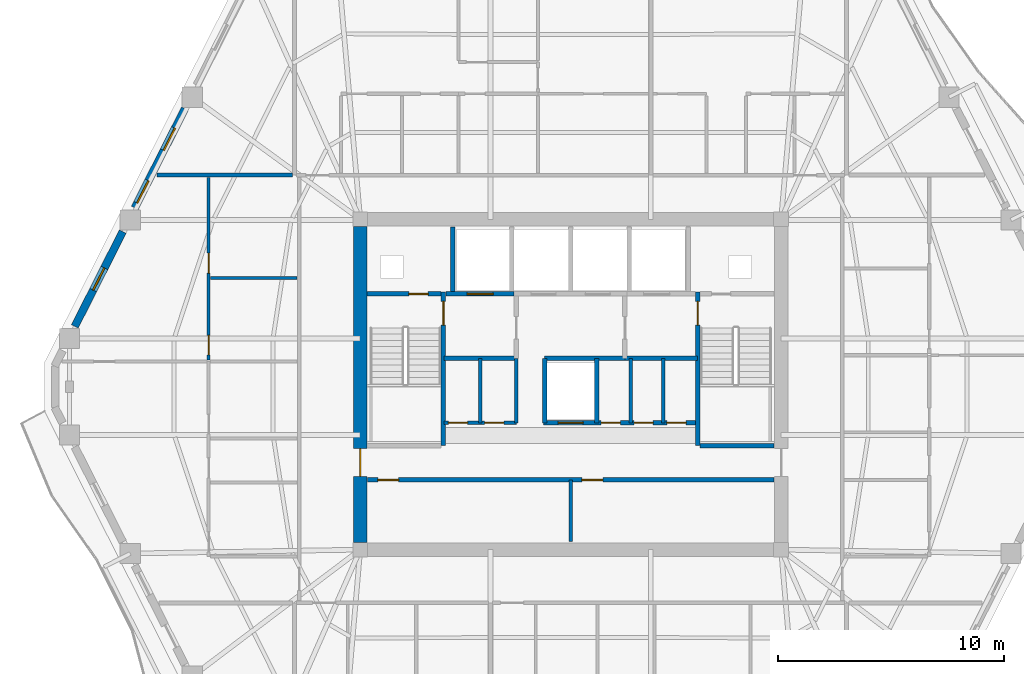
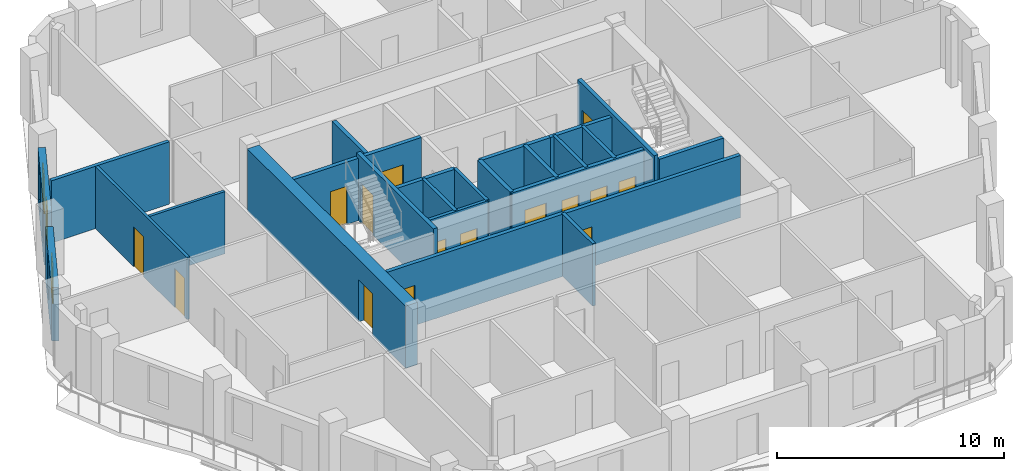
# One storey, part 5 of 11: 25 walls, 15 doors, 3 windows, 18 openings.
"""IFC4 building model written with IfcOpenShell, lengths in metres."""

from ifc_helpers import new_model, si_unit, direction, frame, frame_2d, origin, place, context, subcontext, project, spatial, rectangle, extrude, material, layer, layer_set, type_object, element, fill, save


model = new_model("IFC4")

# Units and contexts
model_context = context("Model", 3, precision=1e-05, world=origin(), true_north=direction((0.0, 1.0)))
body_context = subcontext(model_context, "Body", "Model", "MODEL_VIEW")
ifc_project = project(units=[si_unit("LENGTHUNIT", "METRE"), si_unit("AREAUNIT", "SQUARE_METRE"), si_unit("VOLUMEUNIT", "CUBIC_METRE"), si_unit("PLANEANGLEUNIT", "RADIAN"), si_unit("MASSUNIT", "GRAM", prefix="KILO")], contexts=[model_context])

# Site, building, storey
site_placement = place(None, origin())
site = spatial("IfcSite", under=ifc_project, at=site_placement, CompositionType="ELEMENT")
building_placement = place(site_placement, origin())
building = spatial("IfcBuilding", under=site, at=building_placement, Name="Cinnabar Lancet Tower", CompositionType="ELEMENT")
storey_placement = place(building_placement, frame((0.0, 0.0, 175.449951171875)))
storey = spatial("IfcBuildingStorey", under=building, at=storey_placement, Name="L46", CompositionType="ELEMENT", Elevation=175.449951171875)

# Wall, openings, doors
ifc_material_1 = material(Name="Acoustic twin-stud gypsum partition", Category="gypsum")
ifc_layer_1 = layer(ifc_material_1, 0.159912109375)
ifc_layer_set_1 = layer_set([ifc_layer_1], Name="Acoustic twin-stud gypsum partition")
wall_type_1 = type_object("IfcWallType", Name="ARC-WL-CORR-160", PredefinedType="PARTITIONING", material=ifc_layer_set_1)
wall_1_placement = place(storey_placement, frame((26.800048828125, 24.199951171875, 0.0), z_axis=(0.0, 0.0, 1.0), x_axis=(1.0, 0.0, 0.0)))
wall_1 = element("IfcWall", 1, at=wall_1_placement, inside=storey, type_object=wall_type_1, Name="CW-REC5S-L46", PredefinedType="PARTITIONING", context=body_context, shape_type="SweptSolid", body=[
    extrude(rectangle(XDim=3.199951171875, YDim=0.159912109375, at=frame_2d((1.60009765625, 0.0))), origin(), (0.0, 0.0, 1.0), 3.35009765625),
])
opening_1_placement = place(wall_1_placement, frame((0.199951171875, 0.0, 0.0)))
opening_1 = element("IfcOpeningElement", 2, at=opening_1_placement, cuts=wall_1, Name="Opening PD-02", PredefinedType="OPENING", context=body_context, shape_type="SweptSolid", body=[
    extrude(rectangle(XDim=0.85009765625, YDim=2.050048828125, at=frame_2d((0.425048828125, 1.02490234375))), frame((0.0, 0.08984375, 0.0), z_axis=(0.0, -1.0, 0.0), x_axis=(1.0, 0.0, 0.0)), (0.0, 0.0, 1.0), 0.179931640625),
])
opening_2_placement = place(wall_1_placement, frame((1.800048828125, 0.0, 0.0)))
opening_2 = element("IfcOpeningElement", 3, at=opening_2_placement, cuts=wall_1, Name="Opening PD-02", PredefinedType="OPENING", context=body_context, shape_type="SweptSolid", body=[
    extrude(rectangle(XDim=0.85009765625, YDim=2.050048828125, at=frame_2d((0.425048828125, 1.02490234375))), frame((0.0, 0.08984375, 0.0), z_axis=(0.0, -1.0, 0.0), x_axis=(1.0, 0.0, 0.0)), (0.0, 0.0, 1.0), 0.179931640625),
])
ifc_material_2 = material(Name="Fire-rated steel riser access door", Category="steel")
door_type_1 = type_object("IfcDoorType", Name="ARC-DR-RISER", OperationType="NOTDEFINED", PredefinedType="DOOR", material=ifc_material_2)
door_1_placement = place(opening_1_placement, origin())
door_1 = element("IfcDoor", 4, at=door_1_placement, inside=storey, type_object=door_type_1, Name="DR-L46-REC5A", OperationType="SINGLE_SWING_LEFT", OverallHeight=2.050048828125, OverallWidth=0.85009765625, PredefinedType="DOOR", context=body_context, shape_type="SweptSolid", body=[
    extrude(rectangle(XDim=0.85009765625, YDim=2.050048828125, at=frame_2d((0.425048828125, 1.02490234375))), frame((0.0, 0.02490234375, 0.0), z_axis=(0.0, -1.0, 0.0), x_axis=(1.0, 0.0, 0.0)), (0.0, 0.0, 1.0), 0.050048828125),
])
fill(opening_1, door_1)
door_2_placement = place(opening_2_placement, origin())
door_2 = element("IfcDoor", 5, at=door_2_placement, inside=storey, type_object=door_type_1, Name="DR-L46-REC5B", OperationType="SINGLE_SWING_RIGHT", OverallHeight=2.050048828125, OverallWidth=0.85009765625, PredefinedType="DOOR", context=body_context, shape_type="SweptSolid", body=[
    extrude(rectangle(XDim=0.85009765625, YDim=2.050048828125, at=frame_2d((0.425048828125, 1.02490234375))), frame((0.0, 0.02490234375, 0.0), z_axis=(0.0, -1.0, 0.0), x_axis=(1.0, 0.0, 0.0)), (0.0, 0.0, 1.0), 0.050048828125),
])
fill(opening_2, door_2)

# Walls
for number, where, z_axis, x_axis, name in (
    (6, (30.0, 24.199951171875, 0.0), (0.0, 0.0, 1.0), (0.0, 1.0, 0.0), "CW-REC5E-L46"),
    (7, (28.39990234375, 24.199951171875, 0.0), (0.0, 0.0, 1.0), (0.0, 1.0, 0.0), "CW-REC5D0-L46"),
    (8, (35.050048828125, 24.199951171875, 0.0), (0.0, 0.0, 1.0), (0.0, 1.0, 0.0), "CW-REC6D1-L46"),
    (9, (36.5, 24.199951171875, 0.0), (0.0, 0.0, 1.0), (0.0, 1.0, 0.0), "CW-REC6D2-L46"),
):
    element("IfcWall", number, at=place(storey_placement, frame(where, z_axis=z_axis, x_axis=x_axis)), inside=storey, type_object=wall_type_1, Name=name, PredefinedType="PARTITIONING", context=body_context, shape_type="SweptSolid", body=[
        extrude(rectangle(XDim=2.85009765625, YDim=0.159912109375, at=frame_2d((1.425048828125, 0.0))), origin(), (0.0, 0.0, 1.0), 3.35009765625),
    ])
wall_2_placement = place(storey_placement, frame((32.39990234375, 18.949951171875, 0.0), z_axis=(0.0, 0.0, 1.0), x_axis=(0.0, 1.0, 0.0)))
element("IfcWall", 10, at=wall_2_placement, inside=storey, type_object=wall_type_1, Name="CW-SB-3240-L46", PredefinedType="PARTITIONING", context=body_context, shape_type="SweptSolid", body=[
    extrude(rectangle(XDim=2.72998046875, YDim=0.159912109375, at=frame_2d((1.364990234375, 0.0))), origin(), (0.0, 0.0, 1.0), 3.35009765625),
])
ifc_material_3 = material(Name="Fire-rated twin-frame acoustic drywall", Category="gypsum")
ifc_layer_2 = layer(ifc_material_3, 0.179931640625)
ifc_layer_set_2 = layer_set([ifc_layer_2], Name="Fire-rated twin-frame acoustic drywall")
wall_type_2 = type_object("IfcWallType", Name="ARC-WL-PARTY-180", PredefinedType="PARTITIONING", material=ifc_layer_set_2)
wall_3_placement = place(storey_placement, frame((14.110107421875, 35.14990234375, 0.0), z_axis=(0.0, 0.0, 1.0), x_axis=(1.0, 0.0, 0.0)))
element("IfcWall", 11, at=wall_3_placement, inside=storey, type_object=wall_type_2, Name="PW-L46-WNB", PredefinedType="PARTITIONING", context=body_context, shape_type="SweptSolid", body=[
    extrude(rectangle(XDim=5.994873046875, YDim=0.179931640625, at=frame_2d((2.99755859375, 0.0))), origin(), (0.0, 0.0, 1.0), 3.35009765625),
])
ifc_material_4 = material(Name="Autoclaved aerated concrete blockwork", Category="masonry")
ifc_layer_3 = layer(ifc_material_4, 0.199951171875)
ifc_layer_set_3 = layer_set([ifc_layer_3], Name="Autoclaved aerated concrete blockwork")
wall_type_3 = type_object("IfcWallType", Name="ARC-WL-SHAFT-200", PredefinedType="PLUMBINGWALL", material=ifc_layer_set_3)
wall_4_placement = place(storey_placement, frame((38.125, 23.199951171875, 0.0), z_axis=(0.0, 0.0, 1.0), x_axis=(1.0, 0.0, 0.0)))
element("IfcWall", 12, at=wall_4_placement, inside=storey, type_object=wall_type_3, Name="CW-ST2S-L46", PredefinedType="PLUMBINGWALL", context=body_context, shape_type="SweptSolid", body=[
    extrude(rectangle(XDim=3.27001953125, YDim=0.199951171875, at=frame_2d((1.635009765625, 0.0))), origin(), (0.0, 0.0, 1.0), 3.35009765625),
])

# Wall, opening, door
wall_5_placement = place(storey_placement, frame((23.405029296875, 29.89990234375, 0.0), z_axis=(0.0, 0.0, 1.0), x_axis=(1.0, 0.0, 0.0)))
wall_5 = element("IfcWall", 13, at=wall_5_placement, inside=storey, type_object=wall_type_3, Name="CW-NSH-W-L46", PredefinedType="PLUMBINGWALL", context=body_context, shape_type="SweptSolid", body=[
    extrude(rectangle(XDim=3.27001953125, YDim=0.199951171875, at=frame_2d((1.635009765625, 0.0))), origin(), (0.0, 0.0, 1.0), 3.35009765625),
])
opening_3_placement = place(wall_5_placement, frame((1.85009765625, 0.0, 0.0)))
opening_3 = element("IfcOpeningElement", 14, at=opening_3_placement, cuts=wall_5, Name="Opening PD-02", PredefinedType="OPENING", context=body_context, shape_type="SweptSolid", body=[
    extrude(rectangle(XDim=0.85009765625, YDim=2.050048828125, at=frame_2d((0.425048828125, 1.02490234375))), frame((0.0, 0.10986328125, 0.0), z_axis=(0.0, -1.0, 0.0), x_axis=(1.0, 0.0, 0.0)), (0.0, 0.0, 1.0), 0.219970703125),
])
door_3_placement = place(opening_3_placement, origin())
door_3 = element("IfcDoor", 15, at=door_3_placement, inside=storey, type_object=door_type_1, Name="L46 West Riser Access Door", OperationType="SINGLE_SWING_LEFT", OverallHeight=2.050048828125, OverallWidth=0.85009765625, PredefinedType="DOOR", context=body_context, shape_type="SweptSolid", body=[
    extrude(rectangle(XDim=0.85009765625, YDim=2.050048828125, at=frame_2d((0.425048828125, 1.02490234375))), frame((0.0, 0.02490234375, 0.0), z_axis=(0.0, -1.0, 0.0), x_axis=(1.0, 0.0, 0.0)), (0.0, 0.0, 1.0), 0.050048828125),
])
fill(opening_3, door_3)

wall_6_placement = place(storey_placement, frame((26.885009765625, 29.89990234375, 0.0), z_axis=(0.0, 0.0, 1.0), x_axis=(1.0, 0.0, 0.0)))
wall_6 = element("IfcWall", 16, at=wall_6_placement, inside=storey, type_object=wall_type_3, Name="CW-FL1-L46", PredefinedType="PLUMBINGWALL", context=body_context, shape_type="SweptSolid", body=[
    extrude(rectangle(XDim=3.014892578125, YDim=0.199951171875, at=frame_2d((1.50732421875, 0.0))), origin(), (0.0, 0.0, 1.0), 3.35009765625),
])
opening_4_placement = place(wall_6_placement, frame((0.93994140625, 0.0, 0.0)))
opening_4 = element("IfcOpeningElement", 17, at=opening_4_placement, cuts=wall_6, Name="Opening LD-02", PredefinedType="OPENING", context=body_context, shape_type="SweptSolid", body=[
    extrude(rectangle(XDim=1.14990234375, YDim=2.199951171875, at=frame_2d((0.574951171875, 1.10009765625))), frame((0.0, 0.10986328125, 0.0), z_axis=(0.0, -1.0, 0.0), x_axis=(1.0, 0.0, 0.0)), (0.0, 0.0, 1.0), 0.219970703125),
])
ifc_material_5 = material(Name="Fire-rated stainless steel firefighting lift landing door", Category="steel")
door_type_2 = type_object("IfcDoorType", Name="ARC-DR-LD-FIRE", OperationType="NOTDEFINED", PredefinedType="DOOR", material=ifc_material_5)
door_4_placement = place(opening_4_placement, origin())
door_4 = element("IfcDoor", 18, at=door_4_placement, inside=storey, type_object=door_type_2, Name="L46 Firefighting Lift FL-1 Landing Door", OperationType="DOUBLE_DOOR_SLIDING", OverallHeight=2.199951171875, OverallWidth=1.14990234375, PredefinedType="DOOR", context=body_context, shape_type="SweptSolid", body=[
    extrude(rectangle(XDim=1.14990234375, YDim=2.199951171875, at=frame_2d((0.574951171875, 1.10009765625))), frame((0.0, 0.02490234375, 0.0), z_axis=(0.0, -1.0, 0.0), x_axis=(1.0, 0.0, 0.0)), (0.0, 0.0, 1.0), 0.050048828125),
])
fill(opening_4, door_4)

# Walls
wall_7_placement = place(storey_placement, frame((27.199951171875, 30.0, 0.0), z_axis=(0.0, 0.0, 1.0), x_axis=(0.0, 1.0, 0.0)))
element("IfcWall", 19, at=wall_7_placement, inside=storey, type_object=wall_type_3, Name="CW-NSH-D1-L46", PredefinedType="PLUMBINGWALL", context=body_context, shape_type="SweptSolid", body=[
    extrude(rectangle(XDim=2.85009765625, YDim=0.199951171875, at=frame_2d((1.425048828125, 0.0))), origin(), (0.0, 0.0, 1.0), 3.35009765625),
])
for number, where, z_axis, x_axis, name in (
    (20, (26.800048828125, 27.050048828125, 0.0), (0.0, 0.0, 1.0), (1.0, 0.0, 0.0), "CW-FF1S-L46"),
    (21, (34.800048828125, 27.050048828125, 0.0), (0.0, 0.0, 1.0), (1.0, 0.0, 0.0), "CW-FF2S-L46"),
):
    element("IfcWall", number, at=place(storey_placement, frame(where, z_axis=z_axis, x_axis=x_axis)), inside=storey, type_object=wall_type_3, Name=name, PredefinedType="PLUMBINGWALL", context=body_context, shape_type="SweptSolid", body=[
        extrude(rectangle(XDim=3.199951171875, YDim=0.199951171875, at=frame_2d((1.60009765625, 0.0))), origin(), (0.0, 0.0, 1.0), 3.35009765625),
    ])

# Wall, openings, doors
wall_8_placement = place(storey_placement, frame((31.199951171875, 24.199951171875, 0.0), z_axis=(0.0, 0.0, 1.0), x_axis=(1.0, 0.0, 0.0)))
wall_8 = element("IfcWall", 22, at=wall_8_placement, inside=storey, type_object=wall_type_3, Name="CW-PL96S-L46", PredefinedType="PLUMBINGWALL", context=body_context, shape_type="SweptSolid", body=[
    extrude(rectangle(XDim=6.800048828125, YDim=0.199951171875, at=frame_2d((3.39990234375, 0.0))), origin(), (0.0, 0.0, 1.0), 3.35009765625),
])
opening_5_placement = place(wall_8_placement, frame((0.64990234375, 0.0, 0.0)))
opening_5 = element("IfcOpeningElement", 23, at=opening_5_placement, cuts=wall_8, Name="Opening LD-01", PredefinedType="OPENING", context=body_context, shape_type="SweptSolid", body=[
    extrude(rectangle(XDim=1.10009765625, YDim=2.199951171875, at=frame_2d((0.550048828125, 1.10009765625))), frame((0.0, 0.10986328125, 0.0), z_axis=(0.0, -1.0, 0.0), x_axis=(1.0, 0.0, 0.0)), (0.0, 0.0, 1.0), 0.219970703125),
])
opening_6_placement = place(wall_8_placement, frame((2.550048828125, 0.0, 0.0)))
opening_6 = element("IfcOpeningElement", 24, at=opening_6_placement, cuts=wall_8, Name="Opening PD-02", PredefinedType="OPENING", context=body_context, shape_type="SweptSolid", body=[
    extrude(rectangle(XDim=0.85009765625, YDim=2.050048828125, at=frame_2d((0.425048828125, 1.02490234375))), frame((0.0, 0.10986328125, 0.0), z_axis=(0.0, -1.0, 0.0), x_axis=(1.0, 0.0, 0.0)), (0.0, 0.0, 1.0), 0.219970703125),
])
opening_7_placement = place(wall_8_placement, frame((4.0, 0.0, 0.0)))
opening_7 = element("IfcOpeningElement", 25, at=opening_7_placement, cuts=wall_8, Name="Opening PD-02", PredefinedType="OPENING", context=body_context, shape_type="SweptSolid", body=[
    extrude(rectangle(XDim=0.85009765625, YDim=2.050048828125, at=frame_2d((0.425048828125, 1.02490234375))), frame((0.0, 0.10986328125, 0.0), z_axis=(0.0, -1.0, 0.0), x_axis=(1.0, 0.0, 0.0)), (0.0, 0.0, 1.0), 0.219970703125),
])
opening_8_placement = place(wall_8_placement, frame((5.449951171875, 0.0, 0.0)))
opening_8 = element("IfcOpeningElement", 26, at=opening_8_placement, cuts=wall_8, Name="Opening PD-02", PredefinedType="OPENING", context=body_context, shape_type="SweptSolid", body=[
    extrude(rectangle(XDim=0.85009765625, YDim=2.050048828125, at=frame_2d((0.425048828125, 1.02490234375))), frame((0.0, 0.10986328125, 0.0), z_axis=(0.0, -1.0, 0.0), x_axis=(1.0, 0.0, 0.0)), (0.0, 0.0, 1.0), 0.219970703125),
])
ifc_material_6 = material(Name="Brushed stainless steel sliding lift door", Category="steel")
door_type_3 = type_object("IfcDoorType", Name="ARC-DR-LD-PASS", OperationType="NOTDEFINED", PredefinedType="DOOR", material=ifc_material_6)
door_5_placement = place(opening_5_placement, origin())
door_5 = element("IfcDoor", 27, at=door_5_placement, inside=storey, type_object=door_type_3, Name="L46 Lift PL-9 Landing Door", OperationType="DOUBLE_DOOR_SLIDING", OverallHeight=2.199951171875, OverallWidth=1.10009765625, PredefinedType="DOOR", context=body_context, shape_type="SweptSolid", body=[
    extrude(rectangle(XDim=1.10009765625, YDim=2.199951171875, at=frame_2d((0.550048828125, 1.10009765625))), frame((0.0, 0.02490234375, 0.0), z_axis=(0.0, -1.0, 0.0), x_axis=(1.0, 0.0, 0.0)), (0.0, 0.0, 1.0), 0.050048828125),
])
fill(opening_5, door_5)
door_6_placement = place(opening_6_placement, origin())
door_6 = element("IfcDoor", 28, at=door_6_placement, inside=storey, type_object=door_type_1, Name="DR-L46-REC6A", OperationType="SINGLE_SWING_LEFT", OverallHeight=2.050048828125, OverallWidth=0.85009765625, PredefinedType="DOOR", context=body_context, shape_type="SweptSolid", body=[
    extrude(rectangle(XDim=0.85009765625, YDim=2.050048828125, at=frame_2d((0.425048828125, 1.02490234375))), frame((0.0, 0.02490234375, 0.0), z_axis=(0.0, -1.0, 0.0), x_axis=(1.0, 0.0, 0.0)), (0.0, 0.0, 1.0), 0.050048828125),
])
fill(opening_6, door_6)
door_7_placement = place(opening_7_placement, origin())
door_7 = element("IfcDoor", 29, at=door_7_placement, inside=storey, type_object=door_type_1, Name="DR-L46-REC6B", OperationType="SINGLE_SWING_RIGHT", OverallHeight=2.050048828125, OverallWidth=0.85009765625, PredefinedType="DOOR", context=body_context, shape_type="SweptSolid", body=[
    extrude(rectangle(XDim=0.85009765625, YDim=2.050048828125, at=frame_2d((0.425048828125, 1.02490234375))), frame((0.0, 0.02490234375, 0.0), z_axis=(0.0, -1.0, 0.0), x_axis=(1.0, 0.0, 0.0)), (0.0, 0.0, 1.0), 0.050048828125),
])
fill(opening_7, door_7)
door_8_placement = place(opening_8_placement, origin())
door_8 = element("IfcDoor", 30, at=door_8_placement, inside=storey, type_object=door_type_1, Name="DR-L46-REC6C", OperationType="SINGLE_SWING_LEFT", OverallHeight=2.050048828125, OverallWidth=0.85009765625, PredefinedType="DOOR", context=body_context, shape_type="SweptSolid", body=[
    extrude(rectangle(XDim=0.85009765625, YDim=2.050048828125, at=frame_2d((0.425048828125, 1.02490234375))), frame((0.0, 0.02490234375, 0.0), z_axis=(0.0, -1.0, 0.0), x_axis=(1.0, 0.0, 0.0)), (0.0, 0.0, 1.0), 0.050048828125),
])
fill(opening_8, door_8)

# Walls
for number, where, z_axis, x_axis, name in (
    (31, (31.25, 24.199951171875, 0.0), (0.0, 0.0, 1.0), (0.0, 1.0, 0.0), "CW-PL9W-L46"),
    (32, (33.550048828125, 24.199951171875, 0.0), (0.0, 0.0, 1.0), (0.0, 1.0, 0.0), "CW-PL9E-L46"),
):
    element("IfcWall", number, at=place(storey_placement, frame(where, z_axis=z_axis, x_axis=x_axis)), inside=storey, type_object=wall_type_3, Name=name, PredefinedType="PLUMBINGWALL", context=body_context, shape_type="SweptSolid", body=[
        extrude(rectangle(XDim=2.85009765625, YDim=0.199951171875, at=frame_2d((1.425048828125, 0.0))), origin(), (0.0, 0.0, 1.0), 3.35009765625),
    ])
wall_9_placement = place(storey_placement, frame((31.25, 27.050048828125, 0.0), z_axis=(0.0, 0.0, 1.0), x_axis=(1.0, 0.0, 0.0)))
element("IfcWall", 33, at=wall_9_placement, inside=storey, type_object=wall_type_3, Name="CW-PL96N-L46", PredefinedType="PLUMBINGWALL", context=body_context, shape_type="SweptSolid", body=[
    extrude(rectangle(XDim=3.550048828125, YDim=0.199951171875, at=frame_2d((1.77490234375, 0.0))), origin(), (0.0, 0.0, 1.0), 3.35009765625),
])

# Wall, openings, doors
wall_10_placement = place(storey_placement, frame((23.419921875, 21.679931640625, 0.0), z_axis=(0.0, 0.0, 1.0), x_axis=(1.0, 0.0, 0.0)))
wall_10 = element("IfcWall", 34, at=wall_10_placement, inside=storey, type_object=wall_type_3, Name="CW-SBANDN-L46", PredefinedType="PLUMBINGWALL", context=body_context, shape_type="SweptSolid", body=[
    extrude(rectangle(XDim=17.9599609375, YDim=0.199951171875, at=frame_2d((8.97998046875, 0.0))), origin(), (0.0, 0.0, 1.0), 3.35009765625),
])
opening_9_placement = place(wall_10_placement, frame((0.4599609375, 0.0, 0.0)))
opening_9 = element("IfcOpeningElement", 35, at=opening_9_placement, cuts=wall_10, Name="Opening RD-01", PredefinedType="OPENING", context=body_context, shape_type="SweptSolid", body=[
    extrude(rectangle(XDim=0.919921875, YDim=2.14990234375, at=frame_2d((0.4599609375, 1.074951171875))), frame((0.0, 0.10986328125, 0.0), z_axis=(0.0, -1.0, 0.0), x_axis=(1.0, 0.0, 0.0)), (0.0, 0.0, 1.0), 0.219970703125),
])
opening_10_placement = place(wall_10_placement, frame((9.47998046875, 0.0, 0.0)))
opening_10 = element("IfcOpeningElement", 36, at=opening_10_placement, cuts=wall_10, Name="Opening RD-01", PredefinedType="OPENING", context=body_context, shape_type="SweptSolid", body=[
    extrude(rectangle(XDim=0.919921875, YDim=2.14990234375, at=frame_2d((0.4599609375, 1.074951171875))), frame((0.0, 0.10986328125, 0.0), z_axis=(0.0, -1.0, 0.0), x_axis=(1.0, 0.0, 0.0)), (0.0, 0.0, 1.0), 0.219970703125),
])
ifc_material_7 = material(Name="Engineered timber bedroom door", Category="wood")
door_type_4 = type_object("IfcDoorType", Name="ARC-DR-ROOM", OperationType="NOTDEFINED", PredefinedType="DOOR", material=ifc_material_7)
door_9_placement = place(opening_9_placement, origin())
door_9 = element("IfcDoor", 37, at=door_9_placement, inside=storey, type_object=door_type_4, Name="DR-L46-HREC1", OperationType="SINGLE_SWING_LEFT", OverallHeight=2.14990234375, OverallWidth=0.919921875, PredefinedType="DOOR", context=body_context, shape_type="SweptSolid", body=[
    extrude(rectangle(XDim=0.919921875, YDim=2.14990234375, at=frame_2d((0.4599609375, 1.074951171875))), frame((0.0, 0.02490234375, 0.0), z_axis=(0.0, -1.0, 0.0), x_axis=(1.0, 0.0, 0.0)), (0.0, 0.0, 1.0), 0.050048828125),
])
fill(opening_9, door_9)
door_10_placement = place(opening_10_placement, origin())
door_10 = element("IfcDoor", 38, at=door_10_placement, inside=storey, type_object=door_type_4, Name="DR-L46-HREC2", OperationType="SINGLE_SWING_RIGHT", OverallHeight=2.14990234375, OverallWidth=0.919921875, PredefinedType="DOOR", context=body_context, shape_type="SweptSolid", body=[
    extrude(rectangle(XDim=0.919921875, YDim=2.14990234375, at=frame_2d((0.4599609375, 1.074951171875))), frame((0.0, 0.02490234375, 0.0), z_axis=(0.0, -1.0, 0.0), x_axis=(1.0, 0.0, 0.0)), (0.0, 0.0, 1.0), 0.050048828125),
])
fill(opening_10, door_10)

ifc_material_8 = material(Name="Moisture-resistant cement-board plumbing wall", Category="masonry")
ifc_layer_4 = layer(ifc_material_8, 0.139892578125)
ifc_layer_set_4 = layer_set([ifc_layer_4], Name="Moisture-resistant cement-board plumbing wall")
wall_type_4 = type_object("IfcWallType", Name="ARC-WL-WET-140", PredefinedType="PLUMBINGWALL", material=ifc_layer_set_4)
wall_11_placement = place(storey_placement, frame((16.39990234375, 26.987060546875, 0.0), z_axis=(0.0, 0.0, 1.0), x_axis=(0.0, 1.0, 0.0)))
wall_11 = element("IfcWall", 39, at=wall_11_placement, inside=storey, type_object=wall_type_4, Name="UW-L46-W01-SPM", PredefinedType="PLUMBINGWALL", context=body_context, shape_type="SweptSolid", body=[
    extrude(rectangle(XDim=8.06787109375, YDim=0.139892578125, at=frame_2d((4.033935546875, 0.0))), origin(), (0.0, 0.0, 1.0), 3.35009765625),
])
opening_11_placement = place(wall_11_placement, frame((0.219970703125, 0.0, 0.0)))
opening_11 = element("IfcOpeningElement", 40, at=opening_11_placement, cuts=wall_11, Name="Opening BD-01", PredefinedType="OPENING", context=body_context, shape_type="SweptSolid", body=[
    extrude(rectangle(XDim=0.860107421875, YDim=2.10009765625, at=frame_2d((0.43017578125, 1.050048828125))), frame((0.0, 0.079833984375, 0.0), z_axis=(0.0, -1.0, 0.0), x_axis=(1.0, 0.0, 0.0)), (0.0, 0.0, 1.0), 0.159912109375),
])
opening_12_placement = place(wall_11_placement, frame((3.8330078125, 0.0, 0.0)))
opening_12 = element("IfcOpeningElement", 41, at=opening_12_placement, cuts=wall_11, Name="Opening RD-02", PredefinedType="OPENING", context=body_context, shape_type="SweptSolid", body=[
    extrude(rectangle(XDim=0.8798828125, YDim=2.14990234375, at=frame_2d((0.43994140625, 1.074951171875))), frame((0.0, 0.079833984375, 0.0), z_axis=(0.0, -1.0, 0.0), x_axis=(1.0, 0.0, 0.0)), (0.0, 0.0, 1.0), 0.159912109375),
])
ifc_material_9 = material(Name="Moisture-resistant timber bathroom door", Category="wood")
door_type_5 = type_object("IfcDoorType", Name="ARC-DR-BATH", OperationType="NOTDEFINED", PredefinedType="DOOR", material=ifc_material_9)
door_11_placement = place(opening_11_placement, origin())
door_11 = element("IfcDoor", 42, at=door_11_placement, inside=storey, type_object=door_type_5, Name="DR-L46-W01-ENS", OperationType="SINGLE_SWING_RIGHT", OverallHeight=2.10009765625, OverallWidth=0.860107421875, PredefinedType="DOOR", context=body_context, shape_type="SweptSolid", body=[
    extrude(rectangle(XDim=0.860107421875, YDim=2.10009765625, at=frame_2d((0.43017578125, 1.050048828125))), frame((0.0, 0.02490234375, 0.0), z_axis=(0.0, -1.0, 0.0), x_axis=(1.0, 0.0, 0.0)), (0.0, 0.0, 1.0), 0.050048828125),
])
fill(opening_11, door_11)
ifc_material_10 = material(Name="Engineered timber study door", Category="wood")
door_type_6 = type_object("IfcDoorType", Name="ARC-DR-STUDY", OperationType="NOTDEFINED", PredefinedType="DOOR", material=ifc_material_10)
door_12_placement = place(opening_12_placement, origin())
door_12 = element("IfcDoor", 43, at=door_12_placement, inside=storey, type_object=door_type_6, Name="DR-L46-W01-EWDR", OperationType="SINGLE_SWING_LEFT", OverallHeight=2.14990234375, OverallWidth=0.8798828125, PredefinedType="DOOR", context=body_context, shape_type="SweptSolid", body=[
    extrude(rectangle(XDim=0.8798828125, YDim=2.14990234375, at=frame_2d((0.43994140625, 1.074951171875))), frame((0.0, 0.02490234375, 0.0), z_axis=(0.0, -1.0, 0.0), x_axis=(1.0, 0.0, 0.0)), (0.0, 0.0, 1.0), 0.050048828125),
])
fill(opening_12, door_12)

# Wall
wall_12_placement = place(storey_placement, frame((16.485107421875, 30.60009765625, 0.0), z_axis=(0.0, 0.0, 1.0), x_axis=(1.0, 0.0, 0.0)))
element("IfcWall", 44, at=wall_12_placement, inside=storey, type_object=wall_type_4, Name="UW-L46-W01-EWDV", PredefinedType="PLUMBINGWALL", context=body_context, shape_type="SweptSolid", body=[
    extrude(rectangle(XDim=3.829833984375, YDim=0.139892578125, at=frame_2d((1.9150390625, 0.0))), origin(), (0.0, 0.0, 1.0), 3.35009765625),
])

# Wall, openings, windows
ifc_material_11 = material(Name="Cinnabar red clay brick", Category="masonry")
ifc_layer_5 = layer(ifc_material_11, 0.340087890625)
ifc_layer_set_5 = layer_set([ifc_layer_5], Name="Cinnabar red clay brick")
wall_type_5 = type_object("IfcWallType", Name="ENV-WL-BRK-RED-340", PredefinedType="STANDARD", material=ifc_layer_set_5)
wall_13_placement = place(storey_placement, frame((15.35205078125, 38.0830078125, 0.0), z_axis=(0.0, 0.0, 1.0), x_axis=(-0.451524246964, -0.89225884944, 0.0)))
wall_13 = element("IfcWall", 45, at=wall_13_placement, inside=storey, type_object=wall_type_5, Name="L46 Face 5 Masonry Bay Wall 3", PredefinedType="STANDARD", context=body_context, shape_type="SweptSolid", body=[
    extrude(rectangle(XDim=4.91015625, YDim=0.340087890625, at=frame_2d((2.455078125, 0.0))), origin(), (0.0, 0.0, 1.0), 2.883056640625),
])
opening_13_placement = place(wall_13_placement, frame((0.962890625, 0.0, 0.75)))
opening_13 = element("IfcOpeningElement", 46, at=opening_13_placement, cuts=wall_13, Name="Opening WN-04", PredefinedType="OPENING", context=body_context, shape_type="SweptSolid", body=[
    extrude(rectangle(XDim=1.10009765625, YDim=1.98291015625, at=frame_2d((0.550048828125, 0.991455078125))), frame((0.0, 0.179931640625, 0.0), z_axis=(0.0, -1.0, 0.0), x_axis=(1.0, 0.0, 0.0)), (0.0, 0.0, 1.0), 0.360107421875),
])
opening_14_placement = place(wall_13_placement, frame((3.569091796875, 0.0, 0.75)))
opening_14 = element("IfcOpeningElement", 47, at=opening_14_placement, cuts=wall_13, Name="Opening WN-04", PredefinedType="OPENING", context=body_context, shape_type="SweptSolid", body=[
    extrude(rectangle(XDim=1.10009765625, YDim=1.98291015625, at=frame_2d((0.550048828125, 0.991455078125))), frame((0.0, 0.179931640625, 0.0), z_axis=(0.0, -1.0, 0.0), x_axis=(1.0, 0.0, 0.0)), (0.0, 0.0, 1.0), 0.360107421875),
])
ifc_material_12 = material(Name="Thermally broken bronze-anodized aluminium tall lancet window", Category="aluminium")
window_type = type_object("IfcWindowType", Name="ENV-WN-LANCET-1100", PartitioningType="SINGLE_PANEL", PredefinedType="WINDOW", material=ifc_material_12)
window_1_placement = place(opening_13_placement, origin())
window_1 = element("IfcWindow", 48, at=window_1_placement, inside=storey, type_object=window_type, Name="L46 Face 5 Gothic Lancet Window 3", OverallHeight=1.98291015625, OverallWidth=1.10009765625, PartitioningType="SINGLE_PANEL", PredefinedType="WINDOW", context=body_context, shape_type="SweptSolid", body=[
    extrude(rectangle(XDim=1.10009765625, YDim=1.98291015625, at=frame_2d((0.550048828125, 0.991455078125))), frame((0.0, 0.030029296875, 0.0), z_axis=(0.0, -1.0, 0.0), x_axis=(1.0, 0.0, 0.0)), (0.0, 0.0, 1.0), 0.06005859375),
])
fill(opening_13, window_1)
window_2_placement = place(opening_14_placement, origin())
window_2 = element("IfcWindow", 49, at=window_2_placement, inside=storey, type_object=window_type, Name="L46 Split-Bay Gothic Lancet Window 139", OverallHeight=1.98291015625, OverallWidth=1.10009765625, PartitioningType="SINGLE_PANEL", PredefinedType="WINDOW", context=body_context, shape_type="SweptSolid", body=[
    extrude(rectangle(XDim=1.10009765625, YDim=1.98291015625, at=frame_2d((0.550048828125, 0.991455078125))), frame((0.0, 0.030029296875, 0.0), z_axis=(0.0, -1.0, 0.0), x_axis=(1.0, 0.0, 0.0)), (0.0, 0.0, 1.0), 0.06005859375),
])
fill(opening_14, window_2)

# Wall, opening, window
wall_14_placement = place(storey_placement, frame((12.60693359375, 32.656982421875, 0.0), z_axis=(0.0, 0.0, 1.0), x_axis=(-0.451426298588, -0.892308409096, 0.0)))
wall_14 = element("IfcWall", 50, at=wall_14_placement, inside=storey, type_object=wall_type_5, Name="L46 Face 5 Masonry Bay Wall 4", PredefinedType="STANDARD", context=body_context, shape_type="SweptSolid", body=[
    extrude(rectangle(XDim=4.7001953125, YDim=0.340087890625, at=frame_2d((2.35009765625, 0.0))), origin(), (0.0, 0.0, 1.0), 2.883056640625),
])
opening_15_placement = place(wall_14_placement, frame((1.800048828125, 0.0, 0.75)))
opening_15 = element("IfcOpeningElement", 51, at=opening_15_placement, cuts=wall_14, Name="Opening WN-04", PredefinedType="OPENING", context=body_context, shape_type="SweptSolid", body=[
    extrude(rectangle(XDim=1.10009765625, YDim=1.98291015625, at=frame_2d((0.550048828125, 0.991455078125))), frame((0.0, 0.179931640625, 0.0), z_axis=(0.0, -1.0, 0.0), x_axis=(1.0, 0.0, 0.0)), (0.0, 0.0, 1.0), 0.360107421875),
])
window_3_placement = place(opening_15_placement, origin())
window_3 = element("IfcWindow", 52, at=window_3_placement, inside=storey, type_object=window_type, Name="L46 Face 5 Gothic Lancet Window 4", OverallHeight=1.98291015625, OverallWidth=1.10009765625, PartitioningType="SINGLE_PANEL", PredefinedType="WINDOW", context=body_context, shape_type="SweptSolid", body=[
    extrude(rectangle(XDim=1.10009765625, YDim=1.98291015625, at=frame_2d((0.550048828125, 0.991455078125))), frame((0.0, 0.030029296875, 0.0), z_axis=(0.0, -1.0, 0.0), x_axis=(1.0, 0.0, 0.0)), (0.0, 0.0, 1.0), 0.06005859375),
])
fill(opening_15, window_3)

# Wall, opening, door
ifc_material_13 = material(Name="Concrete C60/75", Category="concrete")
ifc_layer_6 = layer(ifc_material_13, 0.60009765625)
ifc_layer_set_6 = layer_set([ifc_layer_6], Name="Concrete C60/75")
wall_type_6 = type_object("IfcWallType", Name="STR-WL-CORE-600", PredefinedType="SHEAR", material=ifc_layer_set_6)
wall_15_placement = place(storey_placement, frame((23.10009765625, 18.925048828125, 0.0), z_axis=(0.0, 0.0, 1.0), x_axis=(0.0, 1.0, 0.0)))
wall_15 = element("IfcWall", 53, at=wall_15_placement, inside=storey, type_object=wall_type_6, Name="L46 Core Shear Wall W", PredefinedType="SHEAR", context=body_context, shape_type="SweptSolid", body=[
    extrude(rectangle(XDim=13.949951171875, YDim=0.60009765625, at=frame_2d((6.97509765625, 0.0))), origin(), (0.0, 0.0, 1.0), 3.35009765625),
])
opening_16_placement = place(wall_15_placement, frame((2.9150390625, 0.0, 0.0)))
opening_16 = element("IfcOpeningElement", 54, at=opening_16_placement, cuts=wall_15, Name="Opening FD-02", PredefinedType="OPENING", context=body_context, shape_type="SweptSolid", body=[
    extrude(rectangle(XDim=1.219970703125, YDim=2.25, at=frame_2d((0.60986328125, 1.125))), frame((0.0, 0.31005859375, 0.0), z_axis=(0.0, -1.0, 0.0), x_axis=(1.0, 0.0, 0.0)), (0.0, 0.0, 1.0), 0.6201171875),
])
ifc_material_14 = material(Name="Fire-rated double-vision core portal door", Category="wood")
door_type_7 = type_object("IfcDoorType", Name="ARC-DR-CPORT", OperationType="NOTDEFINED", PredefinedType="DOOR", material=ifc_material_14)
door_13_placement = place(opening_16_placement, origin())
door_13 = element("IfcDoor", 55, at=door_13_placement, inside=storey, type_object=door_type_7, Name="L46 West Core Lobby Fire Door", OperationType="SINGLE_SWING_RIGHT", OverallHeight=2.25, OverallWidth=1.219970703125, PredefinedType="DOOR", context=body_context, shape_type="SweptSolid", body=[
    extrude(rectangle(XDim=1.219970703125, YDim=2.25, at=frame_2d((0.60986328125, 1.125))), frame((0.0, 0.02490234375, 0.0), z_axis=(0.0, -1.0, 0.0), x_axis=(1.0, 0.0, 0.0)), (0.0, 0.0, 1.0), 0.050048828125),
])
fill(opening_16, door_13)

ifc_material_15 = material(Name="Concrete C50/60", Category="concrete")
ifc_layer_7 = layer(ifc_material_15, 0.199951171875)
ifc_layer_set_7 = layer_set([ifc_layer_7], Name="Concrete C50/60")
wall_type_7 = type_object("IfcWallType", Name="STR-WL-STAIR-200", PredefinedType="SHEAR", material=ifc_layer_set_7)
wall_16_placement = place(storey_placement, frame((26.780029296875, 23.199951171875, 0.0), z_axis=(0.0, 0.0, 1.0), x_axis=(0.0, 1.0, 0.0)))
wall_16 = element("IfcWall", 56, at=wall_16_placement, inside=storey, type_object=wall_type_7, Name="L46 Stair ST-1 Structural Enclosure Wall", PredefinedType="SHEAR", context=body_context, shape_type="SweptSolid", body=[
    extrude(rectangle(XDim=6.780029296875, YDim=0.199951171875, at=frame_2d((3.39013671875, 0.0))), origin(), (0.0, 0.0, 1.0), 3.550048828125),
])
opening_17_placement = place(wall_16_placement, frame((5.320068359375, 0.0, 0.0)))
opening_17 = element("IfcOpeningElement", 57, at=opening_17_placement, cuts=wall_16, Name="Opening SD-01", PredefinedType="OPENING", context=body_context, shape_type="SweptSolid", body=[
    extrude(rectangle(XDim=1.050048828125, YDim=2.14990234375, at=frame_2d((0.52490234375, 1.074951171875))), frame((0.0, 0.10986328125, 0.0), z_axis=(0.0, -1.0, 0.0), x_axis=(1.0, 0.0, 0.0)), (0.0, 0.0, 1.0), 0.219970703125),
])
ifc_material_16 = material(Name="Fire-rated steel stair exit door", Category="steel")
door_type_8 = type_object("IfcDoorType", Name="ARC-DR-STAIR", OperationType="NOTDEFINED", PredefinedType="DOOR", material=ifc_material_16)
door_14_placement = place(opening_17_placement, origin())
door_14 = element("IfcDoor", 58, at=door_14_placement, inside=storey, type_object=door_type_8, Name="L46 Stair ST-1 Fire Door", OperationType="SINGLE_SWING_LEFT", OverallHeight=2.14990234375, OverallWidth=1.050048828125, PredefinedType="DOOR", context=body_context, shape_type="SweptSolid", body=[
    extrude(rectangle(XDim=1.050048828125, YDim=2.14990234375, at=frame_2d((0.52490234375, 1.074951171875))), frame((0.0, 0.02490234375, 0.0), z_axis=(0.0, -1.0, 0.0), x_axis=(1.0, 0.0, 0.0)), (0.0, 0.0, 1.0), 0.050048828125),
])
fill(opening_17, door_14)

wall_17_placement = place(storey_placement, frame((38.02001953125, 23.199951171875, 0.0), z_axis=(0.0, 0.0, 1.0), x_axis=(0.0, 1.0, 0.0)))
wall_17 = element("IfcWall", 59, at=wall_17_placement, inside=storey, type_object=wall_type_7, Name="L46 Stair ST-2 Structural Enclosure Wall", PredefinedType="SHEAR", context=body_context, shape_type="SweptSolid", body=[
    extrude(rectangle(XDim=6.780029296875, YDim=0.199951171875, at=frame_2d((3.39013671875, 0.0))), origin(), (0.0, 0.0, 1.0), 3.550048828125),
])
opening_18_placement = place(wall_17_placement, frame((5.320068359375, 0.0, 0.0)))
opening_18 = element("IfcOpeningElement", 60, at=opening_18_placement, cuts=wall_17, Name="Opening SD-01", PredefinedType="OPENING", context=body_context, shape_type="SweptSolid", body=[
    extrude(rectangle(XDim=1.050048828125, YDim=2.14990234375, at=frame_2d((0.52490234375, 1.074951171875))), frame((0.0, 0.10986328125, 0.0), z_axis=(0.0, -1.0, 0.0), x_axis=(1.0, 0.0, 0.0)), (0.0, 0.0, 1.0), 0.219970703125),
])
door_15_placement = place(opening_18_placement, origin())
door_15 = element("IfcDoor", 61, at=door_15_placement, inside=storey, type_object=door_type_8, Name="L46 Stair ST-2 Fire Door", OperationType="SINGLE_SWING_RIGHT", OverallHeight=2.14990234375, OverallWidth=1.050048828125, PredefinedType="DOOR", context=body_context, shape_type="SweptSolid", body=[
    extrude(rectangle(XDim=1.050048828125, YDim=2.14990234375, at=frame_2d((0.52490234375, 1.074951171875))), frame((0.0, 0.02490234375, 0.0), z_axis=(0.0, -1.0, 0.0), x_axis=(1.0, 0.0, 0.0)), (0.0, 0.0, 1.0), 0.050048828125),
])
fill(opening_18, door_15)

save(model, "model.ifc")
